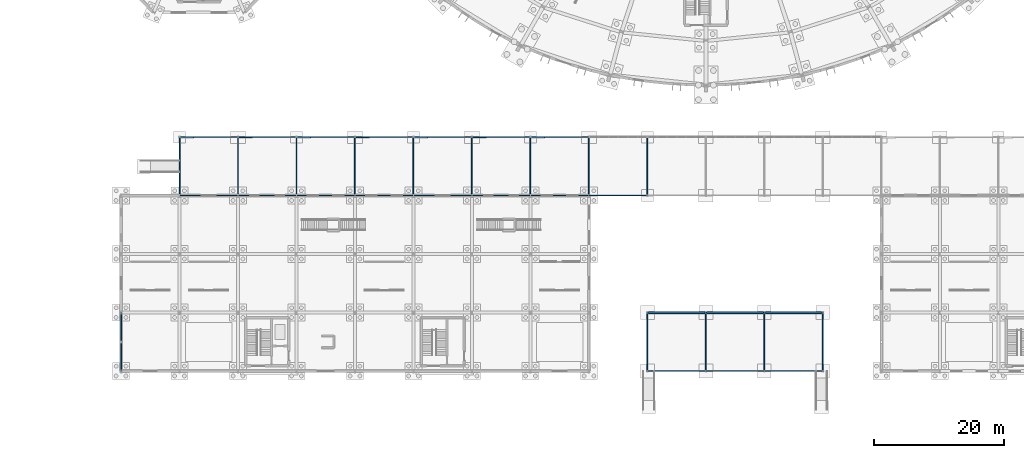
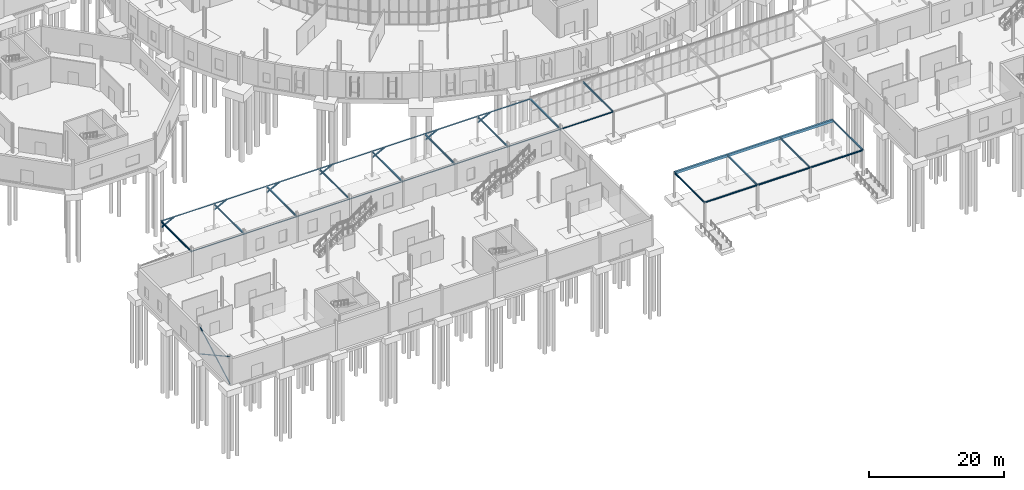
# One storey, part 52 of 118: 34 beams, 10 members.
"""IFC4 building model written with IfcOpenShell, lengths in metres."""

from ifc_helpers import new_model, si_unit, direction, frame, origin, origin_2d, place, context, subcontext, project, spatial, rectangle, hollow_rectangle, i_section, extrude, material, material_profile, profile_set, type_object, element, save


model = new_model("IFC4")

# Units and contexts
model_context = context("Model", 3, precision=1e-05, world=origin(), true_north=direction((0.0, 1.0)))
body_context = subcontext(model_context, "Body", "Model", "MODEL_VIEW")
ifc_project = project(units=[si_unit("LENGTHUNIT", "METRE"), si_unit("AREAUNIT", "SQUARE_METRE"), si_unit("VOLUMEUNIT", "CUBIC_METRE"), si_unit("PLANEANGLEUNIT", "RADIAN"), si_unit("MASSUNIT", "GRAM", prefix="KILO")], contexts=[model_context])

# Site, building, storey
site_placement = place(None, origin())
site = spatial("IfcSite", under=ifc_project, at=site_placement, CompositionType="ELEMENT")
building_placement = place(site_placement, origin())
building = spatial("IfcBuilding", under=site, at=building_placement, Name="Kildeholm Park Wholesale Market", CompositionType="ELEMENT")
storey_placement = place(building_placement, origin())
storey = spatial("IfcBuildingStorey", under=building, at=storey_placement, Name="L00", CompositionType="ELEMENT", Elevation=0.0)

# Beams
ifc_material_1 = material(Name="Steel S355", Category="steel")
ifc_material_profile_1 = material_profile(ifc_material_1, i_section(OverallWidth=0.14990234375, OverallDepth=0.300048828125, WebThickness=0.007080078125, FlangeThickness=0.0107421875, FilletRadius=0.014892578125, at=origin_2d()), Name="IPE 300")
ifc_profile_set_1 = profile_set([ifc_material_profile_1], Name="Steel S355")
beam_type_1 = type_object("IfcBeamType", Name="Beam B-C01 IPE 300", PredefinedType="BEAM", material=ifc_profile_set_1)
for number, where, z_axis, x_axis, name in (
    (1, (18.0, 27.0, 4.486083984375), (0.0, 1.0, 0.0), (-1.0, 0.0, 0.0), "Beam BM-V6-TR-018 BM-1779"),
    (2, (27.0, 27.0, 4.486083984375), (0.0, 1.0, 0.0), (-1.0, 0.0, 0.0), "Beam BM-V6-TR-027 BM-1782"),
    (3, (36.0, 27.0, 4.486083984375), (0.0, 1.0, 0.0), (-1.0, 0.0, 0.0), "Beam BM-V6-TR-036 BM-1785"),
    (4, (45.0, 27.0, 4.486083984375), (0.0, 1.0, 0.0), (-1.0, 0.0, 0.0), "Beam BM-V6-TR-045 BM-1788"),
    (5, (54.0, 27.0, 4.486083984375), (0.0, 1.0, 0.0), (-1.0, 0.0, 0.0), "Beam BM-V6-TR-054 BM-1791"),
    (6, (63.0, 27.0, 4.486083984375), (0.0, 1.0, 0.0), (-1.0, 0.0, 0.0), "Beam BM-V6-TR-063 BM-1794"),
    (7, (72.0, 27.0, 4.486083984375), (0.0, 1.0, 0.0), (-1.0, 0.0, 0.0), "Beam BM-V6-TR-072 BM-1797"),
    (8, (81.0, 27.0, 4.486083984375), (0.0, 1.0, 0.0), (-1.0, 0.0, 0.0), "Beam BM-V6-TR-081 BM-1800"),
    (9, (90.0, 27.0, 4.486083984375), (0.0, 1.0, 0.0), (-1.0, 0.0, 0.0), "Beam BM-V6-TR-090 BM-1803"),
    (10, (90.0, 0.0, 4.486083984375), (0.0, 1.0, 0.0), (-1.0, 0.0, 0.0), "Beam BM-EC-Y-090 BM-1837"),
    (11, (99.0, 0.0, 4.486083984375), (0.0, 1.0, 0.0), (-1.0, 0.0, 0.0), "Beam BM-EC-Y-099 BM-1838"),
    (12, (108.0, 0.0, 4.486083984375), (0.0, 1.0, 0.0), (-1.0, 0.0, 0.0), "Beam BM-EC-Y-108 BM-1839"),
    (13, (117.0, 0.0, 4.486083984375), (0.0, 1.0, 0.0), (-1.0, 0.0, 0.0), "Beam BM-EC-Y-117 BM-1840"),
):
    element("IfcBeam", number, at=place(storey_placement, frame(where, z_axis=z_axis, x_axis=x_axis)), inside=storey, type_object=beam_type_1, Name=name, PredefinedType="BEAM", context=body_context, shape_type="SweptSolid", body=[
        extrude(i_section(OverallWidth=0.14990234375, OverallDepth=0.300048828125, WebThickness=0.007080078125, FlangeThickness=0.0107421875, FilletRadius=0.014892578125, at=origin_2d()), origin(), (0.0, 0.0, 1.0), 9.0),
    ])
ifc_material_profile_2 = material_profile(ifc_material_1, hollow_rectangle(XDim=0.10009765625, YDim=0.199951171875, WallThickness=0.008056640625, InnerFilletRadius=0.008056640625, OuterFilletRadius=0.01611328125, at=origin_2d()), Name="RHS 200x100x8")
ifc_profile_set_2 = profile_set([ifc_material_profile_2], Name="Steel S355")
beam_type_2 = type_object("IfcBeamType", Name="Beam LN-01 RHS 200x100x8", PredefinedType="LINTEL", material=ifc_profile_set_2)
for number, where, z_axis, x_axis, name in (
    (14, (18.0, 27.0, 4.5400390625), (1.0, 0.0, 0.0), (0.0, 1.0, 0.0), "Beam BM-V6-S-018 BM-1780"),
    (15, (18.0, 36.0, 4.5400390625), (1.0, 0.0, 0.0), (0.0, 1.0, 0.0), "Beam BM-V6-N-018 BM-1781"),
    (16, (27.0, 27.0, 4.5400390625), (1.0, 0.0, 0.0), (0.0, 1.0, 0.0), "Beam BM-V6-S-027 BM-1783"),
    (17, (27.0, 36.0, 4.5400390625), (1.0, 0.0, 0.0), (0.0, 1.0, 0.0), "Beam BM-V6-N-027 BM-1784"),
    (18, (36.0, 27.0, 4.5400390625), (1.0, 0.0, 0.0), (0.0, 1.0, 0.0), "Beam BM-V6-S-036 BM-1786"),
    (19, (36.0, 36.0, 4.5400390625), (1.0, 0.0, 0.0), (0.0, 1.0, 0.0), "Beam BM-V6-N-036 BM-1787"),
    (20, (45.0, 27.0, 4.5400390625), (1.0, 0.0, 0.0), (0.0, 1.0, 0.0), "Beam BM-V6-S-045 BM-1789"),
    (21, (45.0, 36.0, 4.5400390625), (1.0, 0.0, 0.0), (0.0, 1.0, 0.0), "Beam BM-V6-N-045 BM-1790"),
    (22, (54.0, 27.0, 4.5400390625), (1.0, 0.0, 0.0), (0.0, 1.0, 0.0), "Beam BM-V6-S-054 BM-1792"),
    (23, (54.0, 36.0, 4.5400390625), (1.0, 0.0, 0.0), (0.0, 1.0, 0.0), "Beam BM-V6-N-054 BM-1793"),
    (24, (63.0, 27.0, 4.5400390625), (1.0, 0.0, 0.0), (0.0, 1.0, 0.0), "Beam BM-V6-S-063 BM-1795"),
    (25, (63.0, 36.0, 4.5400390625), (1.0, 0.0, 0.0), (0.0, 1.0, 0.0), "Beam BM-V6-N-063 BM-1796"),
    (26, (72.0, 27.0, 4.5400390625), (1.0, 0.0, 0.0), (0.0, 1.0, 0.0), "Beam BM-V6-S-072 BM-1798"),
    (27, (72.0, 36.0, 4.5400390625), (1.0, 0.0, 0.0), (0.0, 1.0, 0.0), "Beam BM-V6-N-072 BM-1799"),
    (28, (81.0, 27.0, 4.5400390625), (1.0, 0.0, 0.0), (0.0, 1.0, 0.0), "Beam BM-V6-S-081 BM-1801"),
):
    element("IfcBeam", number, at=place(storey_placement, frame(where, z_axis=z_axis, x_axis=x_axis)), inside=storey, type_object=beam_type_2, Name=name, PredefinedType="LINTEL", context=body_context, shape_type="SweptSolid", body=[
        extrude(hollow_rectangle(XDim=0.10009765625, YDim=0.199951171875, WallThickness=0.008056640625, InnerFilletRadius=0.008056640625, OuterFilletRadius=0.01611328125, at=origin_2d()), origin(), (0.0, 0.0, 1.0), 9.0),
    ])
ifc_material_profile_3 = material_profile(ifc_material_1, i_section(OverallWidth=0.10009765625, OverallDepth=0.199951171875, WebThickness=0.005615234375, FlangeThickness=0.008544921875, FilletRadius=0.011962890625, at=origin_2d()), Name="IPE 200")
ifc_profile_set_3 = profile_set([ifc_material_profile_3], Name="Steel S355")
beam_type_3 = type_object("IfcBeamType", Name="Beam LN-02 IPE 200", PredefinedType="LINTEL", material=ifc_profile_set_3)
for number, where, z_axis, x_axis, name in (
    (29, (90.0, 0.0, 4.5400390625), (1.0, 0.0, 0.0), (0.0, 1.0, 0.0), "Beam BM-EC-XS-090 BM-1841"),
    (30, (99.0, 0.0, 4.5400390625), (1.0, 0.0, 0.0), (0.0, 1.0, 0.0), "Beam BM-EC-XS-099 BM-1843"),
    (31, (108.0, 0.0, 4.5400390625), (1.0, 0.0, 0.0), (0.0, 1.0, 0.0), "Beam BM-EC-XS-108 BM-1845"),
):
    element("IfcBeam", number, at=place(storey_placement, frame(where, z_axis=z_axis, x_axis=x_axis)), inside=storey, type_object=beam_type_3, Name=name, PredefinedType="LINTEL", context=body_context, shape_type="SweptSolid", body=[
        extrude(i_section(OverallWidth=0.10009765625, OverallDepth=0.199951171875, WebThickness=0.005615234375, FlangeThickness=0.008544921875, FilletRadius=0.011962890625, at=origin_2d()), origin(), (0.0, 0.0, 1.0), 9.0),
    ])
ifc_material_2 = material(Name="Precast concrete C40/50", Category="concrete")
ifc_material_profile_4 = material_profile(ifc_material_2, rectangle(XDim=0.300048828125, YDim=0.449951171875, at=origin_2d()), Name="PC-LN 300x450")
ifc_profile_set_4 = profile_set([ifc_material_profile_4], Name="Precast concrete C40/50")
beam_type_4 = type_object("IfcBeamType", Name="Beam LN-03 PC-LN 300x450", PredefinedType="LINTEL", material=ifc_profile_set_4)
for number, where, z_axis, x_axis, name in (
    (32, (90.0, 9.0, 4.4150390625), (1.0, 0.0, 0.0), (0.0, 1.0, 0.0), "Beam BM-EC-XN-090 BM-1842"),
    (33, (99.0, 9.0, 4.4150390625), (1.0, 0.0, 0.0), (0.0, 1.0, 0.0), "Beam BM-EC-XN-099 BM-1844"),
    (34, (108.0, 9.0, 4.4150390625), (1.0, 0.0, 0.0), (0.0, 1.0, 0.0), "Beam BM-EC-XN-108 BM-1846"),
):
    element("IfcBeam", number, at=place(storey_placement, frame(where, z_axis=z_axis, x_axis=x_axis)), inside=storey, type_object=beam_type_4, Name=name, PredefinedType="LINTEL", context=body_context, shape_type="SweptSolid", body=[
        extrude(rectangle(XDim=0.300048828125, YDim=0.449951171875, at=origin_2d()), origin(), (0.0, 0.0, 1.0), 9.0),
    ])

# Members
ifc_material_profile_5 = material_profile(ifc_material_1, i_section(OverallWidth=0.199951171875, OverallDepth=0.199951171875, WebThickness=0.009033203125, FlangeThickness=0.014892578125, FilletRadius=0.01806640625, at=origin_2d()), Name="HEB 200")
ifc_profile_set_5 = profile_set([ifc_material_profile_5], Name="Steel S355")
member_type_1 = type_object("IfcMemberType", Name="Member PT-01 HEB 200", PredefinedType="POST", material=ifc_profile_set_5)
for number, where, z_axis, x_axis, name in (
    (35, (18.0, 36.0, 3.39990234375), (0.887849952902, 0.0, 0.460133090673), (0.0, 1.0, 0.0), "Member PT-V6-018 MEM-0375"),
    (36, (36.0, 36.0, 3.39990234375), (0.887849952902, 0.0, 0.460133090673), (0.0, 1.0, 0.0), "Member PT-V6-036 MEM-0377"),
    (37, (54.0, 36.0, 3.39990234375), (0.887849952902, 0.0, 0.460133090673), (0.0, 1.0, 0.0), "Member PT-V6-054 MEM-0379"),
    (38, (72.0, 36.0, 3.39990234375), (0.887849952902, 0.0, 0.460133090673), (0.0, 1.0, 0.0), "Member PT-V6-072 MEM-0381"),
):
    element("IfcMember", number, at=place(storey_placement, frame(where, z_axis=z_axis, x_axis=x_axis)), inside=storey, type_object=member_type_1, Name=name, PredefinedType="POST", context=body_context, shape_type="SweptSolid", body=[
        extrude(i_section(OverallWidth=0.199951171875, OverallDepth=0.199951171875, WebThickness=0.009033203125, FlangeThickness=0.014892578125, FilletRadius=0.01806640625, at=origin_2d()), origin(), (0.0, 0.0, 1.0), 2.477783203125),
    ])
ifc_material_profile_6 = material_profile(ifc_material_1, hollow_rectangle(XDim=0.199951171875, YDim=0.199951171875, WallThickness=0.012451171875, InnerFilletRadius=0.012451171875, OuterFilletRadius=0.02490234375, at=origin_2d()), Name="SHS 200x200x12.5")
ifc_profile_set_6 = profile_set([ifc_material_profile_6], Name="Steel S355")
member_type_2 = type_object("IfcMemberType", Name="Member PT-02 SHS 200x200x12.5", PredefinedType="POST", material=ifc_profile_set_6)
for number, where, z_axis, x_axis, name in (
    (39, (27.0, 36.0, 3.39990234375), (0.887849952902, 0.0, 0.460133090673), (0.0, 1.0, 0.0), "Member PT-V6-027 MEM-0376"),
    (40, (45.0, 36.0, 3.39990234375), (0.887849952902, 0.0, 0.460133090673), (0.0, 1.0, 0.0), "Member PT-V6-045 MEM-0378"),
    (41, (63.0, 36.0, 3.39990234375), (0.887849952902, 0.0, 0.460133090673), (0.0, 1.0, 0.0), "Member PT-V6-063 MEM-0380"),
):
    element("IfcMember", number, at=place(storey_placement, frame(where, z_axis=z_axis, x_axis=x_axis)), inside=storey, type_object=member_type_2, Name=name, PredefinedType="POST", context=body_context, shape_type="SweptSolid", body=[
        extrude(hollow_rectangle(XDim=0.199951171875, YDim=0.199951171875, WallThickness=0.012451171875, InnerFilletRadius=0.012451171875, OuterFilletRadius=0.02490234375, at=origin_2d()), origin(), (0.0, 0.0, 1.0), 2.477783203125),
    ])
ifc_material_profile_7 = material_profile(ifc_material_1, hollow_rectangle(XDim=0.14990234375, YDim=0.14990234375, WallThickness=0.010009765625, InnerFilletRadius=0.010009765625, OuterFilletRadius=0.02001953125, at=origin_2d()), Name="SHS 150x150x10")
ifc_profile_set_7 = profile_set([ifc_material_profile_7], Name="Steel S355")
member_type_3 = type_object("IfcMemberType", Name="Member TB-03 SHS 150x150x10", PredefinedType="BRACE", material=ifc_profile_set_7)
member_placement = place(storey_placement, frame((9.0, 0.0, 0.10009765625), z_axis=(0.0, 0.874982272, 0.48415495834), x_axis=(-1.0, 0.0, 0.0)))
element("IfcMember", 42, at=member_placement, inside=storey, type_object=member_type_3, Name="Member BR-V5W-L00-1 MEM-0357", PredefinedType="BRACE", context=body_context, shape_type="SweptSolid", body=[
    extrude(hollow_rectangle(XDim=0.14990234375, YDim=0.14990234375, WallThickness=0.010009765625, InnerFilletRadius=0.010009765625, OuterFilletRadius=0.02001953125, at=origin_2d()), origin(), (0.0, 0.0, 1.0), 10.285888671875),
])
for number, where, z_axis, x_axis, name in (
    (43, (9.0, 9.0, 0.10009765625), (0.0, -0.874999978051, 0.484122957947), (1.0, 0.0, 0.0), "Member BR-V5W-L00-2A MEM-0358"),
    (44, (9.0, 4.465087890625, 2.609375), (0.0, -0.874979711111, 0.484159586442), (1.0, 0.0, 0.0), "Member BR-V5W-L00-2B MEM-0359"),
):
    element("IfcMember", number, at=place(storey_placement, frame(where, z_axis=z_axis, x_axis=x_axis)), inside=storey, type_object=member_type_3, Name=name, PredefinedType="BRACE", context=body_context, shape_type="SweptSolid", body=[
        extrude(hollow_rectangle(XDim=0.14990234375, YDim=0.14990234375, WallThickness=0.010009765625, InnerFilletRadius=0.010009765625, OuterFilletRadius=0.02001953125, at=origin_2d()), origin(), (0.0, 0.0, 1.0), 5.10302734375),
    ])

save(model, "model.ifc")
